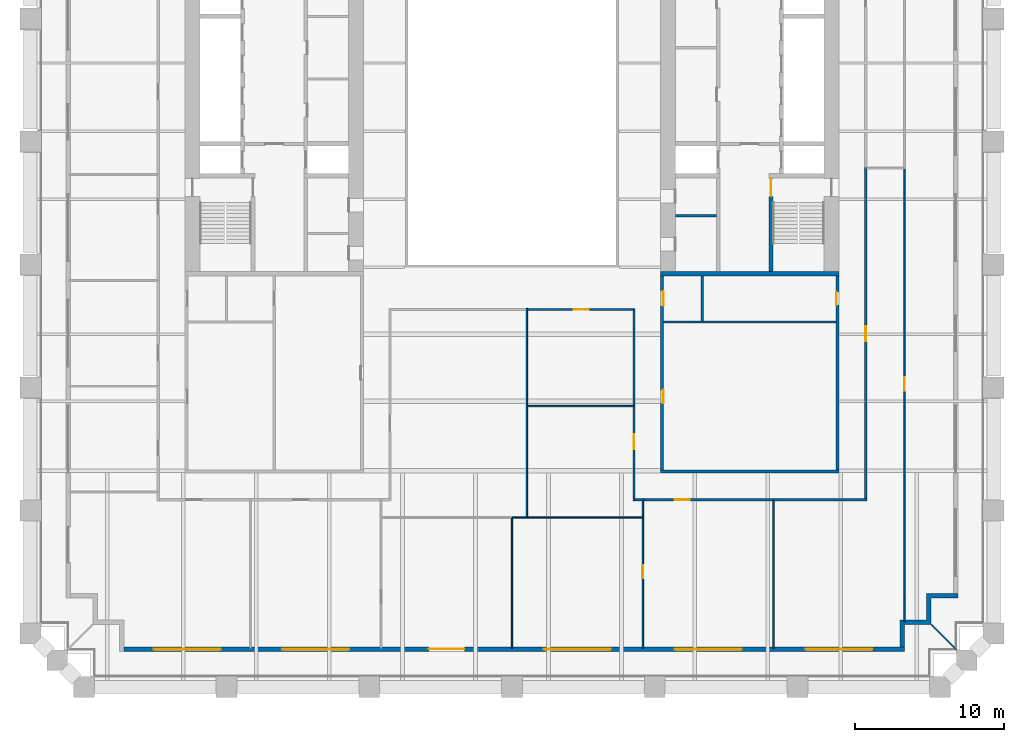
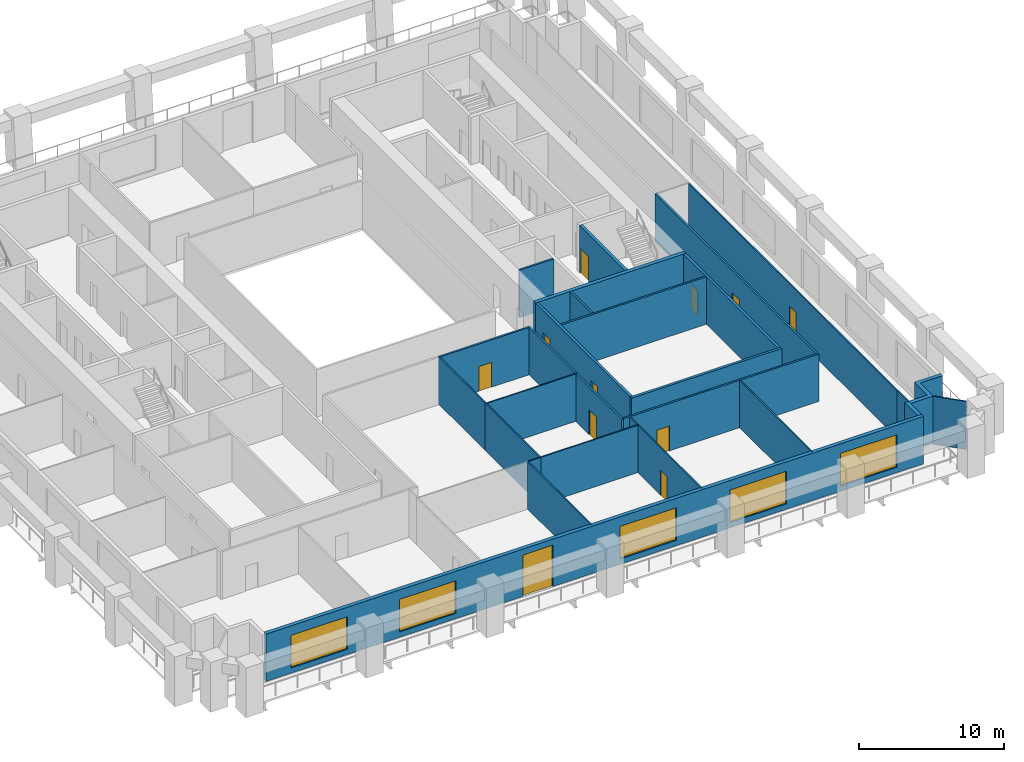
# One storey, part 4 of 9: 29 walls, 11 doors, 5 windows, 16 openings.
"""IFC4 building model written with IfcOpenShell, lengths in metres."""

from ifc_helpers import new_model, si_unit, direction, frame, frame_2d, origin, place, context, subcontext, project, spatial, polyline, rectangle, outline, extrude, material, layer, layer_set, type_object, element, fill, save


model = new_model("IFC4")

# Units and contexts
model_context = context("Model", 3, precision=1e-05, world=origin(), true_north=direction((0.0, 1.0)))
body_context = subcontext(model_context, "Body", "Model", "MODEL_VIEW")
ifc_project = project(units=[si_unit("LENGTHUNIT", "METRE"), si_unit("AREAUNIT", "SQUARE_METRE"), si_unit("VOLUMEUNIT", "CUBIC_METRE"), si_unit("PLANEANGLEUNIT", "RADIAN"), si_unit("MASSUNIT", "GRAM", prefix="KILO")], contexts=[model_context])

# Site, building, storey
site_placement = place(None, origin())
site = spatial("IfcSite", under=ifc_project, at=site_placement, CompositionType="ELEMENT")
building_placement = place(site_placement, origin())
building = spatial("IfcBuilding", under=site, at=building_placement, Name="Ogive Exchange Tower", CompositionType="ELEMENT")
storey_placement = place(building_placement, frame((0.0, 0.0, 69.0)))
storey = spatial("IfcBuildingStorey", under=building, at=storey_placement, Name="L14", CompositionType="ELEMENT", Elevation=69.0)

# Walls
ifc_material_1 = material(Name="Gypsum board partition")
ifc_layer_1 = layer(ifc_material_1, 0.14990234375)
ifc_layer_set_1 = layer_set([ifc_layer_1], Name="Core room partition 150 gypsum")
wall_type_1 = type_object("IfcWallType", Name="Core room partition 150 gypsum", PredefinedType="PARTITIONING", material=ifc_layer_set_1)
wall_1_placement = place(storey_placement, frame((11.0, 1.300048828125, 0.0), z_axis=(0.0, 0.0, 1.0), x_axis=(1.0, 0.0, 0.0)))
element("IfcWall", 1, at=wall_1_placement, inside=storey, type_object=wall_type_1, Name="E south room partition", PredefinedType="PARTITIONING", context=body_context, shape_type="SweptSolid", body=[
    extrude(rectangle(XDim=2.75, YDim=0.14990234375, at=frame_2d((1.375, 0.0))), origin(), (0.0, 0.0, 1.0), 4.0),
])
wall_2_placement = place(storey_placement, frame((10.199951171875, -5.85009765625, 0.0), z_axis=(0.0, 0.0, 1.0), x_axis=(1.0, 0.0, 0.0)))
element("IfcWall", 2, at=wall_2_placement, inside=storey, type_object=wall_type_1, Name="E annex S wc strip wall 00", PredefinedType="PARTITIONING", context=body_context, shape_type="SweptSolid", body=[
    extrude(rectangle(XDim=11.60009765625, YDim=0.14990234375, at=frame_2d((5.800048828125, 0.0))), origin(), (0.0, 0.0, 1.0), 4.0),
])
wall_3_placement = place(storey_placement, frame((12.800048828125, -5.77490234375, 0.0), z_axis=(0.0, 0.0, 1.0), x_axis=(0.0, 1.0, 0.0)))
element("IfcWall", 3, at=wall_3_placement, inside=storey, type_object=wall_type_1, Name="E annex S wc partition 00", PredefinedType="PARTITIONING", context=body_context, shape_type="SweptSolid", body=[
    extrude(rectangle(XDim=3.02490234375, YDim=0.14990234375, at=frame_2d((1.512451171875, 0.0))), origin(), (0.0, 0.0, 1.0), 4.0),
])

# Wall, opening, door
ifc_material_2 = material(Name="Fire partition EI 60 150")
ifc_layer_2 = layer(ifc_material_2, 0.14990234375)
ifc_layer_set_2 = layer_set([ifc_layer_2], Name="Fire partition EI 60 150")
wall_type_2 = type_object("IfcWallType", Name="Fire partition EI 60 150", PredefinedType="PARTITIONING", material=ifc_layer_set_2)
wall_4_placement = place(storey_placement, frame((8.199951171875, -17.875, 0.0), z_axis=(0.0, 0.0, 1.0), x_axis=(0.0, 1.0, 0.0)))
wall_4 = element("IfcWall", 4, at=wall_4_placement, inside=storey, type_object=wall_type_2, Name="L14-PWL-033", PredefinedType="PARTITIONING", context=body_context, shape_type="SweptSolid", body=[
    extrude(rectangle(XDim=6.324951171875, YDim=0.14990234375, at=frame_2d((3.16259765625, 0.0))), origin(), (0.0, 0.0, 1.0), 4.0),
])
opening_1_placement = place(wall_4_placement, frame((3.47509765625, 0.0, 0.0)))
opening_1 = element("IfcOpeningElement", 5, at=opening_1_placement, cuts=wall_4, Name="Opening L14-I07", PredefinedType="OPENING", context=body_context, shape_type="SweptSolid", body=[
    extrude(rectangle(XDim=1.0, YDim=2.10009765625, at=frame_2d((0.5, 1.050048828125))), frame((0.0, 0.0849609375, 0.0), z_axis=(0.0, -1.0, 0.0), x_axis=(1.0, 0.0, 0.0)), (0.0, 0.0, 1.0), 0.169921875),
])
ifc_material_3 = material(Name="Fire door FD 30S 1000 x 2100")
door_type_1 = type_object("IfcDoorType", Name="Fire door FD 30S 1000 x 2100", OperationType="NOTDEFINED", PredefinedType="DOOR", material=ifc_material_3)
door_1_placement = place(opening_1_placement, origin())
door_1 = element("IfcDoor", 6, at=door_1_placement, inside=storey, type_object=door_type_1, Name="L14-IDR-007", ObjectType="DT3", OperationType="SINGLE_SWING_LEFT", OverallHeight=2.10009765625, OverallWidth=1.0, PredefinedType="DOOR", context=body_context, shape_type="SweptSolid", body=[
    extrude(rectangle(XDim=1.0, YDim=2.10009765625, at=frame_2d((0.5, 1.050048828125))), frame((0.0, 0.02490234375, 0.0), z_axis=(0.0, -1.0, 0.0), x_axis=(1.0, 0.0, 0.0)), (0.0, 0.0, 1.0), 0.050048828125),
])
fill(opening_1, door_1)

# Wall
wall_5_placement = place(storey_placement, frame((8.199951171875, -11.449951171875, 0.0), z_axis=(0.0, 0.0, 1.0), x_axis=(0.0, 1.0, 0.0)))
element("IfcWall", 7, at=wall_5_placement, inside=storey, type_object=wall_type_2, Name="L14-PWL-034", PredefinedType="PARTITIONING", context=body_context, shape_type="SweptSolid", body=[
    extrude(rectangle(XDim=6.52490234375, YDim=0.14990234375, at=frame_2d((3.262451171875, 0.0))), origin(), (0.0, 0.0, 1.0), 4.0),
])

# Wall, opening, door
wall_6_placement = place(storey_placement, frame((8.125, -5.0, 0.0), z_axis=(0.0, 0.0, 1.0), x_axis=(-1.0, 0.0, 0.0)))
wall_6 = element("IfcWall", 8, at=wall_6_placement, inside=storey, type_object=wall_type_2, Name="L14-PWL-035", PredefinedType="PARTITIONING", context=body_context, shape_type="SweptSolid", body=[
    extrude(rectangle(XDim=7.074951171875, YDim=0.14990234375, at=frame_2d((3.53759765625, 0.0))), origin(), (0.0, 0.0, 1.0), 4.0),
])
opening_2_placement = place(wall_6_placement, frame((2.97509765625, 0.0, 0.0)))
opening_2 = element("IfcOpeningElement", 9, at=opening_2_placement, cuts=wall_6, Name="Opening L14-I08", PredefinedType="OPENING", context=body_context, shape_type="SweptSolid", body=[
    extrude(rectangle(XDim=1.0, YDim=2.10009765625, at=frame_2d((0.5, 1.050048828125))), frame((0.0, 0.0849609375, 0.0), z_axis=(0.0, -1.0, 0.0), x_axis=(1.0, 0.0, 0.0)), (0.0, 0.0, 1.0), 0.169921875),
])
door_2_placement = place(opening_2_placement, origin())
door_2 = element("IfcDoor", 10, at=door_2_placement, inside=storey, type_object=door_type_1, Name="L14-IDR-008", ObjectType="DT3", OperationType="SINGLE_SWING_RIGHT", OverallHeight=2.10009765625, OverallWidth=1.0, PredefinedType="DOOR", context=body_context, shape_type="SweptSolid", body=[
    extrude(rectangle(XDim=1.0, YDim=2.10009765625, at=frame_2d((0.5, 1.050048828125))), frame((0.0, 0.02490234375, 0.0), z_axis=(0.0, -1.0, 0.0), x_axis=(1.0, 0.0, 0.0)), (0.0, 0.0, 1.0), 0.050048828125),
])
fill(opening_2, door_2)

# Wall
wall_7_placement = place(storey_placement, frame((8.75, -17.800048828125, 0.0), z_axis=(0.0, 0.0, 1.0), x_axis=(-1.0, 0.0, 0.0)))
element("IfcWall", 11, at=wall_7_placement, inside=storey, type_object=wall_type_2, Name="L14-PWL-040", PredefinedType="PARTITIONING", context=body_context, shape_type="SweptSolid", body=[
    extrude(rectangle(XDim=0.47509765625, YDim=0.14990234375, at=frame_2d((0.237548828125, 0.0))), origin(), (0.0, 0.0, 1.0), 4.0),
])

# Wall, opening, door
wall_8_placement = place(storey_placement, frame((17.64990234375, -17.800048828125, 0.0), z_axis=(0.0, 0.0, 1.0), x_axis=(-1.0, 0.0, 0.0)))
wall_8 = element("IfcWall", 12, at=wall_8_placement, inside=storey, type_object=wall_type_2, Name="L14-PWL-041", PredefinedType="PARTITIONING", context=body_context, shape_type="SweptSolid", body=[
    extrude(rectangle(XDim=8.7998046875, YDim=0.14990234375, at=frame_2d((4.39990234375, 0.0))), origin(), (0.0, 0.0, 1.0), 4.0),
])
opening_3_placement = place(wall_8_placement, frame((5.699951171875, 0.0, 0.0)))
opening_3 = element("IfcOpeningElement", 13, at=opening_3_placement, cuts=wall_8, Name="Opening L14-I02", PredefinedType="OPENING", context=body_context, shape_type="SweptSolid", body=[
    extrude(rectangle(XDim=1.0, YDim=2.10009765625, at=frame_2d((0.5, 1.050048828125))), frame((0.0, 0.0849609375, 0.0), z_axis=(0.0, -1.0, 0.0), x_axis=(1.0, 0.0, 0.0)), (0.0, 0.0, 1.0), 0.169921875),
])
door_3_placement = place(opening_3_placement, origin())
door_3 = element("IfcDoor", 14, at=door_3_placement, inside=storey, type_object=door_type_1, Name="L14-IDR-002", ObjectType="DT3", OperationType="SINGLE_SWING_LEFT", OverallHeight=2.10009765625, OverallWidth=1.0, PredefinedType="DOOR", context=body_context, shape_type="SweptSolid", body=[
    extrude(rectangle(XDim=1.0, YDim=2.10009765625, at=frame_2d((0.5, 1.050048828125))), frame((0.0, 0.02490234375, 0.0), z_axis=(0.0, -1.0, 0.0), x_axis=(1.0, 0.0, 0.0)), (0.0, 0.0, 1.0), 0.050048828125),
])
fill(opening_3, door_3)

# Wall
wall_9_placement = place(storey_placement, frame((23.875, -17.800048828125, 0.0), z_axis=(0.0, 0.0, 1.0), x_axis=(-1.0, 0.0, 0.0)))
element("IfcWall", 15, at=wall_9_placement, inside=storey, type_object=wall_type_2, Name="L14-PWL-044", PredefinedType="PARTITIONING", context=body_context, shape_type="SweptSolid", body=[
    extrude(rectangle(XDim=6.27490234375, YDim=0.14990234375, at=frame_2d((3.137451171875, 0.0))), origin(), (0.0, 0.0, 1.0), 4.0),
])

# Wall, opening, door
wall_10_placement = place(storey_placement, frame((23.800048828125, 4.550048828125, 0.0), z_axis=(0.0, 0.0, 1.0), x_axis=(0.0, -1.0, 0.0)))
wall_10 = element("IfcWall", 16, at=wall_10_placement, inside=storey, type_object=wall_type_2, Name="L14-PWL-045", PredefinedType="PARTITIONING", context=body_context, shape_type="SweptSolid", body=[
    extrude(rectangle(XDim=22.275146484375, YDim=0.14990234375, at=frame_2d((11.1376953125, 0.0))), origin(), (0.0, 0.0, 1.0), 4.0),
])
opening_4_placement = place(wall_10_placement, frame((10.699951171875, 0.0, 0.0)))
opening_4 = element("IfcOpeningElement", 17, at=opening_4_placement, cuts=wall_10, Name="Opening L14-I03", PredefinedType="OPENING", context=body_context, shape_type="SweptSolid", body=[
    extrude(rectangle(XDim=1.0, YDim=2.10009765625, at=frame_2d((0.5, 1.050048828125))), frame((0.0, 0.0849609375, 0.0), z_axis=(0.0, -1.0, 0.0), x_axis=(1.0, 0.0, 0.0)), (0.0, 0.0, 1.0), 0.169921875),
])
door_4_placement = place(opening_4_placement, origin())
door_4 = element("IfcDoor", 18, at=door_4_placement, inside=storey, type_object=door_type_1, Name="L14-IDR-003", ObjectType="DT3", OperationType="SINGLE_SWING_RIGHT", OverallHeight=2.10009765625, OverallWidth=1.0, PredefinedType="DOOR", context=body_context, shape_type="SweptSolid", body=[
    extrude(rectangle(XDim=1.0, YDim=2.10009765625, at=frame_2d((0.5, 1.050048828125))), frame((0.0, 0.02490234375, 0.0), z_axis=(0.0, -1.0, 0.0), x_axis=(1.0, 0.0, 0.0)), (0.0, 0.0, 1.0), 0.050048828125),
])
fill(opening_4, door_4)

# Wall, openings, door, windows
ifc_material_4 = material(Name="Precast concrete C40/50", Category="concrete")
ifc_layer_3 = layer(ifc_material_4, 0.300048828125)
ifc_layer_set_3 = layer_set([ifc_layer_3], Name="Limestone-faced wall 300")
wall_type_3 = type_object("IfcWallType", Name="Limestone-faced wall 300", PredefinedType="STANDARD", material=ifc_layer_set_3)
wall_11_placement = place(storey_placement, frame((-26.10009765625, -27.85009765625, 0.0), z_axis=(0.0, 0.0, 1.0), x_axis=(1.0, 0.0, 0.0)))
wall_11 = element("IfcWall", 19, at=wall_11_placement, inside=storey, type_object=wall_type_3, Name="External wall S1", PredefinedType="STANDARD", context=body_context, shape_type="SweptSolid", body=[
    extrude(rectangle(XDim=52.5, YDim=0.300048828125, at=frame_2d((26.25, 0.0))), origin(), (0.0, 0.0, 1.0), 4.0),
])
opening_5_placement = place(wall_11_placement, frame((2.0, 0.0, 0.449951171875)))
opening_5 = element("IfcOpeningElement", 20, at=opening_5_placement, cuts=wall_11, Name="Opening W1H", PredefinedType="OPENING", context=body_context, shape_type="SweptSolid", body=[
    extrude(rectangle(XDim=4.5, YDim=2.75, at=frame_2d((2.25, 1.375))), frame((0.0, 0.159912109375, 0.0), z_axis=(0.0, -1.0, 0.0), x_axis=(1.0, 0.0, 0.0)), (0.0, 0.0, 1.0), 0.320068359375),
])
opening_6_placement = place(wall_11_placement, frame((10.64990234375, 0.0, 0.449951171875)))
opening_6 = element("IfcOpeningElement", 21, at=opening_6_placement, cuts=wall_11, Name="Opening W1H", PredefinedType="OPENING", context=body_context, shape_type="SweptSolid", body=[
    extrude(rectangle(XDim=4.5, YDim=2.75, at=frame_2d((2.25, 1.375))), frame((0.0, 0.159912109375, 0.0), z_axis=(0.0, -1.0, 0.0), x_axis=(1.0, 0.0, 0.0)), (0.0, 0.0, 1.0), 0.320068359375),
])
opening_7_placement = place(wall_11_placement, frame((20.5, 0.0, 0.0)))
opening_7 = element("IfcOpeningElement", 22, at=opening_7_placement, cuts=wall_11, Name="Opening D1", PredefinedType="OPENING", context=body_context, shape_type="SweptSolid", body=[
    extrude(rectangle(XDim=2.39990234375, YDim=3.5, at=frame_2d((1.199951171875, 1.75))), frame((0.0, 0.159912109375, 0.0), z_axis=(0.0, -1.0, 0.0), x_axis=(1.0, 0.0, 0.0)), (0.0, 0.0, 1.0), 0.320068359375),
])
opening_8_placement = place(wall_11_placement, frame((28.25, 0.0, 0.449951171875)))
opening_8 = element("IfcOpeningElement", 23, at=opening_8_placement, cuts=wall_11, Name="Opening W1H", PredefinedType="OPENING", context=body_context, shape_type="SweptSolid", body=[
    extrude(rectangle(XDim=4.5, YDim=2.75, at=frame_2d((2.25, 1.375))), frame((0.0, 0.159912109375, 0.0), z_axis=(0.0, -1.0, 0.0), x_axis=(1.0, 0.0, 0.0)), (0.0, 0.0, 1.0), 0.320068359375),
])
opening_9_placement = place(wall_11_placement, frame((37.050048828125, 0.0, 0.449951171875)))
opening_9 = element("IfcOpeningElement", 24, at=opening_9_placement, cuts=wall_11, Name="Opening W1H", PredefinedType="OPENING", context=body_context, shape_type="SweptSolid", body=[
    extrude(rectangle(XDim=4.5, YDim=2.75, at=frame_2d((2.25, 1.375))), frame((0.0, 0.159912109375, 0.0), z_axis=(0.0, -1.0, 0.0), x_axis=(1.0, 0.0, 0.0)), (0.0, 0.0, 1.0), 0.320068359375),
])
opening_10_placement = place(wall_11_placement, frame((45.85009765625, 0.0, 0.449951171875)))
opening_10 = element("IfcOpeningElement", 25, at=opening_10_placement, cuts=wall_11, Name="Opening W1H", PredefinedType="OPENING", context=body_context, shape_type="SweptSolid", body=[
    extrude(rectangle(XDim=4.5, YDim=2.75, at=frame_2d((2.25, 1.375))), frame((0.0, 0.159912109375, 0.0), z_axis=(0.0, -1.0, 0.0), x_axis=(1.0, 0.0, 0.0)), (0.0, 0.0, 1.0), 0.320068359375),
])
ifc_material_5 = material(Name="Clear glass in bronze frame", Category="glass")
door_type_2 = type_object("IfcDoorType", Name="Sliding loggia door 2400 x 3500", OperationType="DOUBLE_DOOR_SLIDING", PredefinedType="DOOR", material=ifc_material_5)
door_5_placement = place(opening_7_placement, origin())
door_5 = element("IfcDoor", 26, at=door_5_placement, inside=storey, type_object=door_type_2, Name="Loggia door S02", OperationType="DOUBLE_DOOR_SLIDING", OverallHeight=3.5, OverallWidth=2.39990234375, PredefinedType="DOOR", context=body_context, shape_type="SweptSolid", body=[
    extrude(rectangle(XDim=2.39990234375, YDim=3.5, at=frame_2d((1.199951171875, 1.75))), frame((0.0, 0.02490234375, 0.0), z_axis=(0.0, -1.0, 0.0), x_axis=(1.0, 0.0, 0.0)), (0.0, 0.0, 1.0), 0.050048828125),
])
fill(opening_7, door_5)
window_type = type_object("IfcWindowType", Name="Twin lancet window 4500 x 2750", PartitioningType="DOUBLE_PANEL_VERTICAL", PredefinedType="WINDOW", material=ifc_material_5)
window_1_placement = place(opening_5_placement, origin())
window_1 = element("IfcWindow", 27, at=window_1_placement, inside=storey, type_object=window_type, Name="Window S00", OverallHeight=2.75, OverallWidth=4.5, PartitioningType="DOUBLE_PANEL_VERTICAL", PredefinedType="WINDOW", context=body_context, shape_type="SweptSolid", body=[
    extrude(rectangle(XDim=4.5, YDim=2.75, at=frame_2d((2.25, 1.375))), frame((0.0, 0.030029296875, 0.0), z_axis=(0.0, -1.0, 0.0), x_axis=(1.0, 0.0, 0.0)), (0.0, 0.0, 1.0), 0.06005859375),
])
fill(opening_5, window_1)
window_2_placement = place(opening_6_placement, origin())
window_2 = element("IfcWindow", 28, at=window_2_placement, inside=storey, type_object=window_type, Name="Window S01", OverallHeight=2.75, OverallWidth=4.5, PartitioningType="DOUBLE_PANEL_VERTICAL", PredefinedType="WINDOW", context=body_context, shape_type="SweptSolid", body=[
    extrude(rectangle(XDim=4.5, YDim=2.75, at=frame_2d((2.25, 1.375))), frame((0.0, 0.030029296875, 0.0), z_axis=(0.0, -1.0, 0.0), x_axis=(1.0, 0.0, 0.0)), (0.0, 0.0, 1.0), 0.06005859375),
])
fill(opening_6, window_2)
window_3_placement = place(opening_8_placement, origin())
window_3 = element("IfcWindow", 29, at=window_3_placement, inside=storey, type_object=window_type, Name="Window S03", OverallHeight=2.75, OverallWidth=4.5, PartitioningType="DOUBLE_PANEL_VERTICAL", PredefinedType="WINDOW", context=body_context, shape_type="SweptSolid", body=[
    extrude(rectangle(XDim=4.5, YDim=2.75, at=frame_2d((2.25, 1.375))), frame((0.0, 0.030029296875, 0.0), z_axis=(0.0, -1.0, 0.0), x_axis=(1.0, 0.0, 0.0)), (0.0, 0.0, 1.0), 0.06005859375),
])
fill(opening_8, window_3)
window_4_placement = place(opening_9_placement, origin())
window_4 = element("IfcWindow", 30, at=window_4_placement, inside=storey, type_object=window_type, Name="Window S04", OverallHeight=2.75, OverallWidth=4.5, PartitioningType="DOUBLE_PANEL_VERTICAL", PredefinedType="WINDOW", context=body_context, shape_type="SweptSolid", body=[
    extrude(rectangle(XDim=4.5, YDim=2.75, at=frame_2d((2.25, 1.375))), frame((0.0, 0.030029296875, 0.0), z_axis=(0.0, -1.0, 0.0), x_axis=(1.0, 0.0, 0.0)), (0.0, 0.0, 1.0), 0.06005859375),
])
fill(opening_9, window_4)
window_5_placement = place(opening_10_placement, origin())
window_5 = element("IfcWindow", 31, at=window_5_placement, inside=storey, type_object=window_type, Name="Window S05", OverallHeight=2.75, OverallWidth=4.5, PartitioningType="DOUBLE_PANEL_VERTICAL", PredefinedType="WINDOW", context=body_context, shape_type="SweptSolid", body=[
    extrude(rectangle(XDim=4.5, YDim=2.75, at=frame_2d((2.25, 1.375))), frame((0.0, 0.030029296875, 0.0), z_axis=(0.0, -1.0, 0.0), x_axis=(1.0, 0.0, 0.0)), (0.0, 0.0, 1.0), 0.06005859375),
])
fill(opening_10, window_5)

# Walls
wall_12_placement = place(storey_placement, origin())
element("IfcWall", 32, at=wall_12_placement, inside=storey, type_object=wall_type_3, Name="External corner wall C1", PredefinedType="STANDARD", context=body_context, shape_type="SweptSolid", body=[
    extrude(outline(polyline([(27.89990234375, -25.89990234375), (27.89990234375, -24.10009765625), (30.0, -24.10009765625), (30.0, -24.39990234375), (28.199951171875, -24.39990234375), (28.199951171875, -26.199951171875), (26.39990234375, -26.199951171875), (26.39990234375, -27.699951171875), (26.10009765625, -27.699951171875), (26.10009765625, -25.89990234375), (27.89990234375, -25.89990234375)])), origin(), (0.0, 0.0, 1.0), 4.0),
])
ifc_material_6 = material(Name="Laminated safety glass in steel frame", Category="steel")
ifc_layer_4 = layer(ifc_material_6, 0.10009765625)
ifc_layer_set_4 = layer_set([ifc_layer_4], Name="Loggia end screen 100")
wall_type_4 = type_object("IfcWallType", Name="Loggia end screen 100", PredefinedType="STANDARD", material=ifc_layer_set_4)
wall_13_placement = place(storey_placement, frame((28.199951171875, -26.199951171875, -0.050048828125), z_axis=(0.0, 0.0, 1.0), x_axis=(0.707106781187, -0.707106781187, 0.0)))
element("IfcWall", 33, at=wall_13_placement, inside=storey, type_object=wall_type_4, Name="Loggia end screen C1", PredefinedType="STANDARD", context=body_context, shape_type="SweptSolid", body=[
    extrude(rectangle(XDim=2.384521484375, YDim=0.10009765625, at=frame_2d((1.1923828125, 0.0))), origin(), (0.0, 0.0, 1.0), 4.050048828125),
])
ifc_material_7 = material(Name="Partition 100 gypsum")
ifc_layer_5 = layer(ifc_material_7, 0.10009765625)
ifc_layer_set_5 = layer_set([ifc_layer_5], Name="Partition 100 gypsum")
wall_type_5 = type_object("IfcWallType", Name="Partition 100 gypsum", PredefinedType="PARTITIONING", material=ifc_layer_set_5)
wall_14_placement = place(storey_placement, frame((0.0, -19.050048828125, 0.0), z_axis=(0.0, 0.0, 1.0), x_axis=(0.0, -1.0, 0.0)))
element("IfcWall", 34, at=wall_14_placement, inside=storey, type_object=wall_type_5, Name="L14-PWL-024", PredefinedType="PARTITIONING", context=body_context, shape_type="SweptSolid", body=[
    extrude(rectangle(XDim=8.75, YDim=0.10009765625, at=frame_2d((4.375, 0.0))), origin(), (0.0, 0.0, 1.0), 4.0),
])
wall_15_placement = place(storey_placement, frame((0.0, -19.0, 0.0), z_axis=(0.0, 0.0, 1.0), x_axis=(1.0, 0.0, 0.0)))
element("IfcWall", 35, at=wall_15_placement, inside=storey, type_object=wall_type_5, Name="L14-PWL-025", PredefinedType="PARTITIONING", context=body_context, shape_type="SweptSolid", body=[
    extrude(rectangle(XDim=1.0, YDim=0.10009765625, at=frame_2d((0.5, 0.0))), origin(), (0.0, 0.0, 1.0), 4.0),
])
wall_16_placement = place(storey_placement, frame((1.0, -18.949951171875, 0.0), z_axis=(0.0, 0.0, 1.0), x_axis=(0.0, 1.0, 0.0)))
element("IfcWall", 36, at=wall_16_placement, inside=storey, type_object=wall_type_5, Name="L14-PWL-028", PredefinedType="PARTITIONING", context=body_context, shape_type="SweptSolid", body=[
    extrude(rectangle(XDim=7.5, YDim=0.10009765625, at=frame_2d((3.75, 0.0))), origin(), (0.0, 0.0, 1.0), 4.0),
])
wall_17_placement = place(storey_placement, frame((1.0, -19.0, 0.0), z_axis=(0.0, 0.0, 1.0), x_axis=(1.0, 0.0, 0.0)))
element("IfcWall", 37, at=wall_17_placement, inside=storey, type_object=wall_type_5, Name="L14-PWL-029", PredefinedType="PARTITIONING", context=body_context, shape_type="SweptSolid", body=[
    extrude(rectangle(XDim=7.85009765625, YDim=0.10009765625, at=frame_2d((3.925048828125, 0.0))), origin(), (0.0, 0.0, 1.0), 4.0),
])
wall_18_placement = place(storey_placement, frame((1.0, -11.449951171875, 0.0), z_axis=(0.0, 0.0, 1.0), x_axis=(0.0, 1.0, 0.0)))
element("IfcWall", 38, at=wall_18_placement, inside=storey, type_object=wall_type_5, Name="L14-PWL-030", PredefinedType="PARTITIONING", context=body_context, shape_type="SweptSolid", body=[
    extrude(rectangle(XDim=6.52490234375, YDim=0.10009765625, at=frame_2d((3.262451171875, 0.0))), origin(), (0.0, 0.0, 1.0), 4.0),
])
wall_19_placement = place(storey_placement, frame((1.050048828125, -11.5, 0.0), z_axis=(0.0, 0.0, 1.0), x_axis=(1.0, 0.0, 0.0)))
element("IfcWall", 39, at=wall_19_placement, inside=storey, type_object=wall_type_5, Name="L14-PWL-031", PredefinedType="PARTITIONING", context=body_context, shape_type="SweptSolid", body=[
    extrude(rectangle(XDim=7.224853515625, YDim=0.10009765625, at=frame_2d((3.6123046875, 0.0))), origin(), (0.0, 0.0, 1.0), 4.0),
])

# Wall, opening, door
wall_20_placement = place(storey_placement, frame((8.800048828125, -27.800048828125, 0.0), z_axis=(0.0, 0.0, 1.0), x_axis=(0.0, 1.0, 0.0)))
wall_20 = element("IfcWall", 40, at=wall_20_placement, inside=storey, type_object=wall_type_5, Name="L14-PWL-038", PredefinedType="PARTITIONING", context=body_context, shape_type="SweptSolid", body=[
    extrude(rectangle(XDim=8.75, YDim=0.10009765625, at=frame_2d((4.375, 0.0))), origin(), (0.0, 0.0, 1.0), 4.0),
])
opening_11_placement = place(wall_20_placement, frame((4.699951171875, 0.0, 0.0)))
opening_11 = element("IfcOpeningElement", 41, at=opening_11_placement, cuts=wall_20, Name="Opening L14-I06", PredefinedType="OPENING", context=body_context, shape_type="SweptSolid", body=[
    extrude(rectangle(XDim=0.89990234375, YDim=2.10009765625, at=frame_2d((0.449951171875, 1.050048828125))), frame((0.0, 0.06005859375, 0.0), z_axis=(0.0, -1.0, 0.0), x_axis=(1.0, 0.0, 0.0)), (0.0, 0.0, 1.0), 0.1201171875),
])
ifc_material_8 = material(Name="Door 900 x 2100")
door_type_3 = type_object("IfcDoorType", Name="Door 900 x 2100", OperationType="NOTDEFINED", PredefinedType="DOOR", material=ifc_material_8)
door_6_placement = place(opening_11_placement, origin())
door_6 = element("IfcDoor", 42, at=door_6_placement, inside=storey, type_object=door_type_3, Name="L14-IDR-006", ObjectType="DT1", OperationType="SINGLE_SWING_LEFT", OverallHeight=2.10009765625, OverallWidth=0.89990234375, PredefinedType="DOOR", context=body_context, shape_type="SweptSolid", body=[
    extrude(rectangle(XDim=0.89990234375, YDim=2.10009765625, at=frame_2d((0.449951171875, 1.050048828125))), frame((0.0, 0.02490234375, 0.0), z_axis=(0.0, -1.0, 0.0), x_axis=(1.0, 0.0, 0.0)), (0.0, 0.0, 1.0), 0.050048828125),
])
fill(opening_11, door_6)

# Walls
wall_21_placement = place(storey_placement, frame((8.800048828125, -18.949951171875, 0.0), z_axis=(0.0, 0.0, 1.0), x_axis=(0.0, 1.0, 0.0)))
element("IfcWall", 43, at=wall_21_placement, inside=storey, type_object=wall_type_5, Name="L14-PWL-039", PredefinedType="PARTITIONING", context=body_context, shape_type="SweptSolid", body=[
    extrude(rectangle(XDim=1.224853515625, YDim=0.10009765625, at=frame_2d((0.6123046875, 0.0))), origin(), (0.0, 0.0, 1.0), 4.0),
])
wall_22_placement = place(storey_placement, frame((17.60009765625, -17.875, 0.0), z_axis=(0.0, 0.0, 1.0), x_axis=(0.0, -1.0, 0.0)))
element("IfcWall", 44, at=wall_22_placement, inside=storey, type_object=wall_type_5, Name="L14-PWL-042", PredefinedType="PARTITIONING", context=body_context, shape_type="SweptSolid", body=[
    extrude(rectangle(XDim=9.925048828125, YDim=0.10009765625, at=frame_2d((4.96240234375, 0.0))), origin(), (0.0, 0.0, 1.0), 4.0),
])

# Wall, opening, door
wall_23_placement = place(storey_placement, frame((26.39990234375, -24.409912109375, 0.0), z_axis=(0.0, 0.0, 1.0), x_axis=(0.0, 1.0, 0.0)))
wall_23 = element("IfcWall", 45, at=wall_23_placement, inside=storey, type_object=wall_type_5, Name="L14-PWL-048", PredefinedType="PARTITIONING", context=body_context, shape_type="SweptSolid", body=[
    extrude(rectangle(XDim=28.85986328125, YDim=0.10009765625, at=frame_2d((14.429931640625, 0.0))), origin(), (0.0, 0.0, 1.0), 4.0),
])
opening_12_placement = place(wall_23_placement, frame((13.949951171875, 0.0, 0.0)))
opening_12 = element("IfcOpeningElement", 46, at=opening_12_placement, cuts=wall_23, Name="Opening L14-I01", PredefinedType="OPENING", context=body_context, shape_type="SweptSolid", body=[
    extrude(rectangle(XDim=0.89990234375, YDim=2.10009765625, at=frame_2d((0.449951171875, 1.050048828125))), frame((0.0, 0.06005859375, 0.0), z_axis=(0.0, -1.0, 0.0), x_axis=(1.0, 0.0, 0.0)), (0.0, 0.0, 1.0), 0.1201171875),
])
door_7_placement = place(opening_12_placement, origin())
door_7 = element("IfcDoor", 47, at=door_7_placement, inside=storey, type_object=door_type_3, Name="L14-IDR-001", ObjectType="DT1", OperationType="SINGLE_SWING_RIGHT", OverallHeight=2.10009765625, OverallWidth=0.89990234375, PredefinedType="DOOR", context=body_context, shape_type="SweptSolid", body=[
    extrude(rectangle(XDim=0.89990234375, YDim=2.10009765625, at=frame_2d((0.449951171875, 1.050048828125))), frame((0.0, 0.02490234375, 0.0), z_axis=(0.0, -1.0, 0.0), x_axis=(1.0, 0.0, 0.0)), (0.0, 0.0, 1.0), 0.050048828125),
])
fill(opening_12, door_7)

# Wall
wall_24_placement = place(storey_placement, frame((26.409912109375, -26.0, 0.0), z_axis=(0.0, 0.0, 1.0), x_axis=(0.0, 1.0, 0.0)))
element("IfcWall", 48, at=wall_24_placement, inside=storey, type_object=wall_type_5, Name="L14-PWL-050", PredefinedType="PARTITIONING", context=body_context, shape_type="SweptSolid", body=[
    extrude(rectangle(XDim=1.590087890625, YDim=0.10009765625, at=frame_2d((0.794921875, 0.0))), origin(), (0.0, 0.0, 1.0), 4.0),
])

# Wall, opening, door
ifc_material_9 = material(Name="Concrete C70/85", Category="concrete")
ifc_layer_6 = layer(ifc_material_9, 0.199951171875)
ifc_layer_set_6 = layer_set([ifc_layer_6], Name="RC core wall 200 C70/85")
wall_type_6 = type_object("IfcWallType", Name="RC core wall 200 C70/85", PredefinedType="SHEAR", material=ifc_layer_set_6)
wall_25_placement = place(storey_placement, frame((21.89990234375, -15.800048828125, 0.0), z_axis=(0.0, 0.0, 1.0), x_axis=(0.0, 1.0, 0.0)))
wall_25 = element("IfcWall", 49, at=wall_25_placement, inside=storey, type_object=wall_type_6, Name="E annex S outer wall", PredefinedType="SHEAR", context=body_context, shape_type="SweptSolid", body=[
    extrude(rectangle(XDim=13.050048828125, YDim=0.199951171875, at=frame_2d((6.52490234375, 0.0))), origin(), (0.0, 0.0, 1.0), 4.0),
])
opening_13_placement = place(wall_25_placement, frame((11.08740234375, 0.0, 0.0)))
opening_13 = element("IfcOpeningElement", 50, at=opening_13_placement, cuts=wall_25, Name="Opening L14-C44", PredefinedType="OPENING", context=body_context, shape_type="SweptSolid", body=[
    extrude(rectangle(XDim=0.89990234375, YDim=2.10009765625, at=frame_2d((0.449951171875, 1.050048828125))), frame((0.0, 0.10986328125, 0.0), z_axis=(0.0, -1.0, 0.0), x_axis=(1.0, 0.0, 0.0)), (0.0, 0.0, 1.0), 0.219970703125),
])
ifc_material_10 = material(Name="Steel fire door", Category="steel")
door_type_4 = type_object("IfcDoorType", Name="Riser door FD60 900 x 2100", OperationType="NOTDEFINED", PredefinedType="DOOR", material=ifc_material_10)
door_8_placement = place(opening_13_placement, origin())
door_8 = element("IfcDoor", 51, at=door_8_placement, inside=storey, type_object=door_type_4, Name="Riser door", ObjectType="CD2", OperationType="SINGLE_SWING_LEFT", OverallHeight=2.10009765625, OverallWidth=0.89990234375, PredefinedType="DOOR", context=body_context, shape_type="SweptSolid", body=[
    extrude(rectangle(XDim=0.89990234375, YDim=2.10009765625, at=frame_2d((0.449951171875, 1.050048828125))), frame((0.0, 0.10009765625, 0.0), z_axis=(0.0, -1.0, 0.0), x_axis=(1.0, 0.0, 0.0)), (0.0, 0.0, 1.0), 0.050048828125),
])
fill(opening_13, door_8)

# Wall, openings, doors
wall_26_placement = place(storey_placement, frame((10.10009765625, -15.800048828125, 0.0), z_axis=(0.0, 0.0, 1.0), x_axis=(0.0, 1.0, 0.0)))
wall_26 = element("IfcWall", 52, at=wall_26_placement, inside=storey, type_object=wall_type_6, Name="E annex S inner wall", PredefinedType="SHEAR", context=body_context, shape_type="SweptSolid", body=[
    extrude(rectangle(XDim=13.050048828125, YDim=0.199951171875, at=frame_2d((6.52490234375, 0.0))), origin(), (0.0, 0.0, 1.0), 4.0),
])
opening_14_placement = place(wall_26_placement, frame((4.487548828125, 0.0, 0.0)))
opening_14 = element("IfcOpeningElement", 53, at=opening_14_placement, cuts=wall_26, Name="Opening L14-C42", PredefinedType="OPENING", context=body_context, shape_type="SweptSolid", body=[
    extrude(rectangle(XDim=0.89990234375, YDim=2.10009765625, at=frame_2d((0.449951171875, 1.050048828125))), frame((0.0, 0.10986328125, 0.0), z_axis=(0.0, -1.0, 0.0), x_axis=(1.0, 0.0, 0.0)), (0.0, 0.0, 1.0), 0.219970703125),
])
opening_15_placement = place(wall_26_placement, frame((11.03759765625, 0.0, 0.0)))
opening_15 = element("IfcOpeningElement", 54, at=opening_15_placement, cuts=wall_26, Name="Opening L14-C43", PredefinedType="OPENING", context=body_context, shape_type="SweptSolid", body=[
    extrude(rectangle(XDim=1.0, YDim=2.10009765625, at=frame_2d((0.5, 1.050048828125))), frame((0.0, 0.10986328125, 0.0), z_axis=(0.0, -1.0, 0.0), x_axis=(1.0, 0.0, 0.0)), (0.0, 0.0, 1.0), 0.219970703125),
])
ifc_material_11 = material(Name="Timber fire door", Category="wood")
door_type_5 = type_object("IfcDoorType", Name="Accessible WC door FD30S 1000 x 2100", OperationType="NOTDEFINED", PredefinedType="DOOR", material=ifc_material_11)
door_9_placement = place(opening_15_placement, frame((1.0, -0.14990234375, 0.0), z_axis=(0.0, 0.0, 1.0), x_axis=(-1.0, 0.0, 0.0)))
door_9 = element("IfcDoor", 55, at=door_9_placement, inside=storey, type_object=door_type_5, Name="Accessible WC door", ObjectType="CD7", OperationType="SINGLE_SWING_LEFT", OverallHeight=2.10009765625, OverallWidth=1.0, PredefinedType="DOOR", context=body_context, shape_type="SweptSolid", body=[
    extrude(rectangle(XDim=1.0, YDim=2.10009765625, at=frame_2d((0.5, 1.050048828125))), frame((0.0, -0.0498046875, 0.0), z_axis=(0.0, -1.0, 0.0), x_axis=(1.0, 0.0, 0.0)), (0.0, 0.0, 1.0), 0.050048828125),
])
fill(opening_15, door_9)
door_10_placement = place(opening_14_placement, frame((0.89990234375, -0.14990234375, 0.0), z_axis=(0.0, 0.0, 1.0), x_axis=(-1.0, 0.0, 0.0)))
door_10 = element("IfcDoor", 56, at=door_10_placement, inside=storey, type_object=door_type_4, Name="Riser door", ObjectType="CD2", OperationType="SINGLE_SWING_LEFT", OverallHeight=2.10009765625, OverallWidth=0.89990234375, PredefinedType="DOOR", context=body_context, shape_type="SweptSolid", body=[
    extrude(rectangle(XDim=0.89990234375, YDim=2.10009765625, at=frame_2d((0.449951171875, 1.050048828125))), frame((0.0, -0.0498046875, 0.0), z_axis=(0.0, -1.0, 0.0), x_axis=(1.0, 0.0, 0.0)), (0.0, 0.0, 1.0), 0.050048828125),
])
fill(opening_14, door_10)

# Wall
wall_27_placement = place(storey_placement, frame((10.0, -15.89990234375, 0.0), z_axis=(0.0, 0.0, 1.0), x_axis=(1.0, 0.0, 0.0)))
element("IfcWall", 57, at=wall_27_placement, inside=storey, type_object=wall_type_6, Name="E annex S end wall", PredefinedType="SHEAR", context=body_context, shape_type="SweptSolid", body=[
    extrude(rectangle(XDim=12.0, YDim=0.199951171875, at=frame_2d((6.0, 0.0))), origin(), (0.0, 0.0, 1.0), 4.0),
])

# Wall, opening, door
ifc_layer_7 = layer(ifc_material_9, 0.25)
ifc_layer_set_7 = layer_set([ifc_layer_7], Name="RC core wall 250 C70/85")
wall_type_7 = type_object("IfcWallType", Name="RC core wall 250 C70/85", PredefinedType="SHEAR", material=ifc_layer_set_7)
wall_28_placement = place(storey_placement, frame((17.425048828125, -2.449951171875, 0.0), z_axis=(0.0, 0.0, 1.0), x_axis=(0.0, 1.0, 0.0)))
wall_28 = element("IfcWall", 58, at=wall_28_placement, inside=storey, type_object=wall_type_7, Name="E stair S front wall", PredefinedType="SHEAR", context=body_context, shape_type="SweptSolid", body=[
    extrude(rectangle(XDim=6.300048828125, YDim=0.25, at=frame_2d((3.14990234375, 0.0))), origin(), (0.0, 0.0, 1.0), 4.0),
])
opening_16_placement = place(wall_28_placement, frame((5.050048828125, 0.0, 0.0)))
opening_16 = element("IfcOpeningElement", 59, at=opening_16_placement, cuts=wall_28, Name="Opening L14-C36", PredefinedType="OPENING", context=body_context, shape_type="SweptSolid", body=[
    extrude(rectangle(XDim=1.199951171875, YDim=2.10009765625, at=frame_2d((0.60009765625, 1.050048828125))), frame((0.0, 0.135009765625, 0.0), z_axis=(0.0, -1.0, 0.0), x_axis=(1.0, 0.0, 0.0)), (0.0, 0.0, 1.0), 0.27001953125),
])
door_type_6 = type_object("IfcDoorType", Name="Stair door FD90 1200 x 2100", OperationType="NOTDEFINED", PredefinedType="DOOR", material=ifc_material_10)
door_11_placement = place(opening_16_placement, frame((1.199951171875, 0.0, 0.0), z_axis=(0.0, 0.0, 1.0), x_axis=(-1.0, 0.0, 0.0)))
door_11 = element("IfcDoor", 60, at=door_11_placement, inside=storey, type_object=door_type_6, Name="Stair door", ObjectType="CD5", OperationType="SINGLE_SWING_RIGHT", OverallHeight=2.10009765625, OverallWidth=1.199951171875, PredefinedType="DOOR", context=body_context, shape_type="SweptSolid", body=[
    extrude(rectangle(XDim=1.199951171875, YDim=2.10009765625, at=frame_2d((0.60009765625, 1.050048828125))), frame((0.0, 0.02490234375, 0.0), z_axis=(0.0, -1.0, 0.0), x_axis=(1.0, 0.0, 0.0)), (0.0, 0.0, 1.0), 0.050048828125),
])
fill(opening_16, door_11)

# Wall
ifc_layer_8 = layer(ifc_material_9, 0.300048828125)
ifc_layer_set_8 = layer_set([ifc_layer_8], Name="RC core wall 300 C70/85")
wall_type_8 = type_object("IfcWallType", Name="RC core wall 300 C70/85", PredefinedType="SHEAR", material=ifc_layer_set_8)
wall_29_placement = place(storey_placement, frame((10.0, -2.60009765625, 0.0), z_axis=(0.0, 0.0, 1.0), x_axis=(1.0, 0.0, 0.0)))
element("IfcWall", 61, at=wall_29_placement, inside=storey, type_object=wall_type_8, Name="E south end wall", PredefinedType="SHEAR", context=body_context, shape_type="SweptSolid", body=[
    extrude(rectangle(XDim=12.0, YDim=0.300048828125, at=frame_2d((6.0, 0.0))), origin(), (0.0, 0.0, 1.0), 4.0),
])

save(model, "model.ifc")
